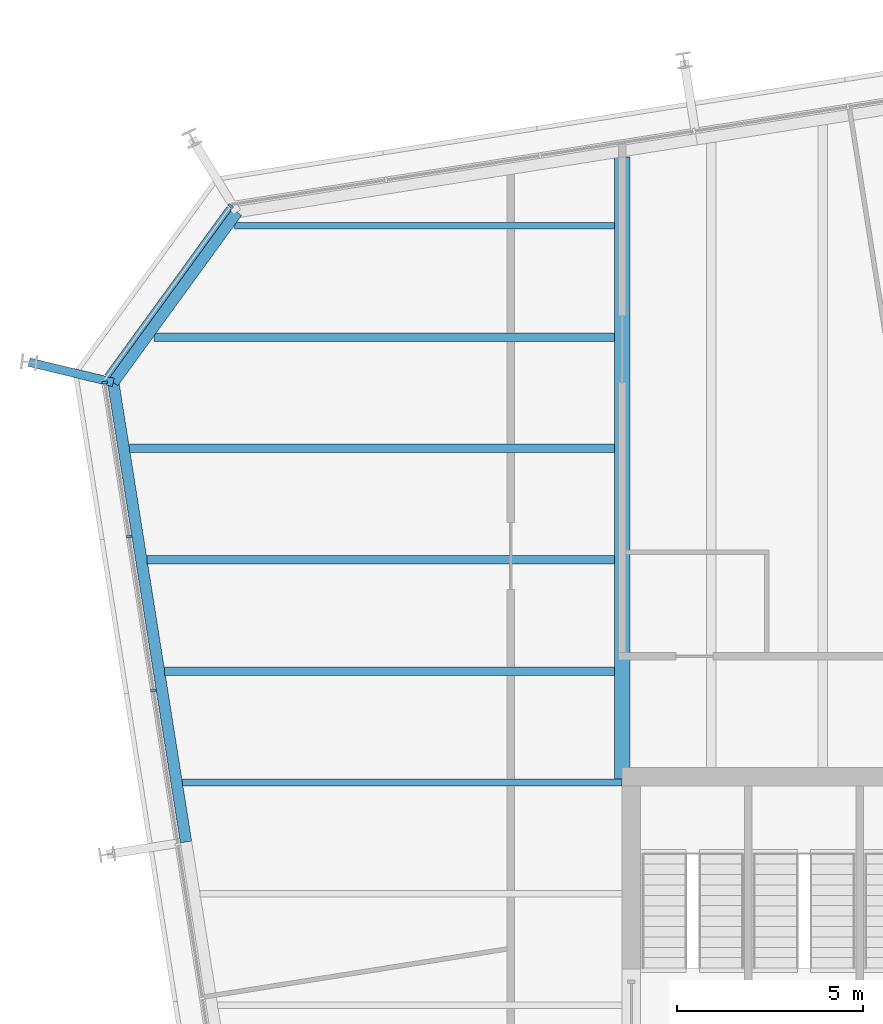
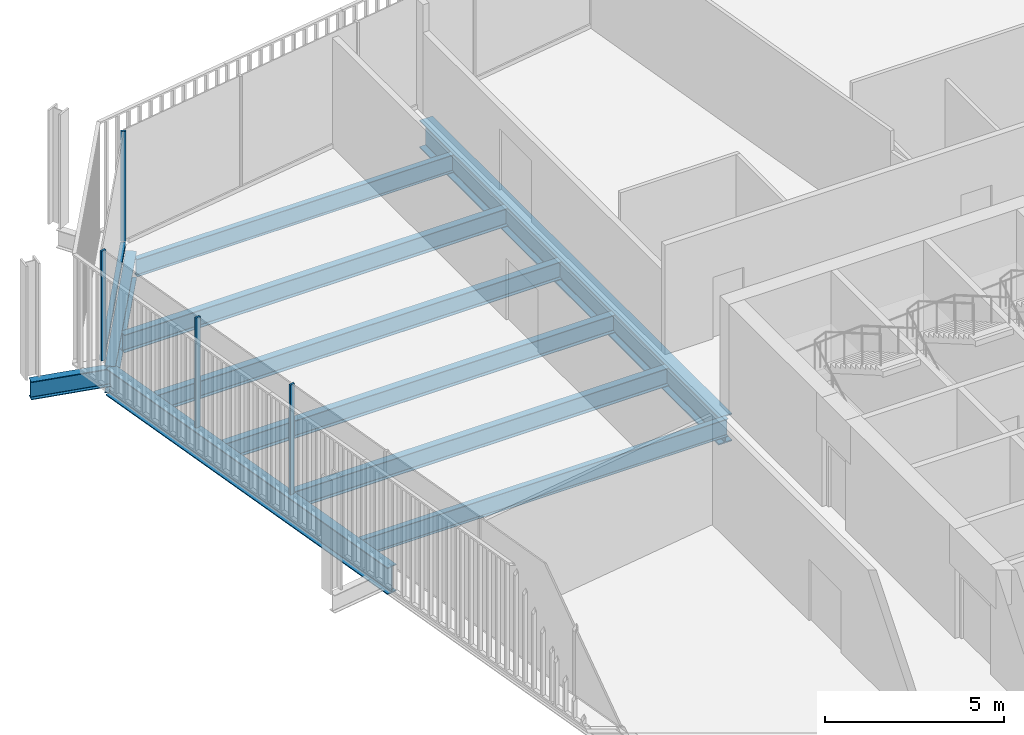
# One storey, part 10 of 20: 10 beams, 5 members, 2 elements without a shape of their own.
"""IFC4 building model written with IfcOpenShell, lengths in metres."""

import ifcopenshell
import ifcopenshell.guid

model = None  # the IFC model being written
_history = None  # IfcOwnerHistory: only IFC2X3 demands one
_inside = {}  # id of a spatial element -> (the spatial element, [elements in it])
_under = {}  # id of a project, library or spatial element -> (it, [spatial elements below it])
_declared = {}  # id of a project -> (the project, [libraries it declares])
_typed = {}  # id of a type object -> (the type object, [elements of that type])
_made_of = {}  # id of a material, layer set ... -> (it, [elements and type objects made of it])


def new_model(schema):
    """Start an empty IFC model of exactly this schema.

    Asked for "IFC4X3", IfcOpenShell would pick the latest addendum, in which some entities
    have other attributes; the version numbers below select the first issue.
    IFC2X3 requires an IfcOwnerHistory on every rooted entity: one is made here for all.
    """
    global model, _history
    if schema == "IFC4X3":
        model = ifcopenshell.file(schema_version=(4, 3, 0, 0))
    else:
        model = ifcopenshell.file(schema=schema)
    _inside.clear()
    _under.clear()
    _declared.clear()
    _typed.clear()
    _made_of.clear()
    _history = None
    if model.schema == "IFC2X3":
        org = make("IfcOrganization", Name="unknown")
        user = make(
            "IfcPersonAndOrganization",
            ThePerson=make("IfcPerson", FamilyName="unknown"),
            TheOrganization=org,
        )
        app = make(
            "IfcApplication",
            ApplicationDeveloper=org,
            Version="unknown",
            ApplicationFullName="unknown",
            ApplicationIdentifier="unknown",
        )
        _history = make(
            "IfcOwnerHistory",
            OwningUser=user,
            OwningApplication=app,
            ChangeAction="ADDED",
            CreationDate=0,
        )
    return model


def make(cls, **values):
    """One entity of the class cls with the attributes given. An attribute that is None is left unset."""
    return model.create_entity(
        cls, **{name: value for name, value in values.items() if value is not None}
    )


def rooted(cls, **values):
    """An entity with a GlobalId (a new one), such as an element, a storey or a relation."""
    return make(cls, GlobalId=ifcopenshell.guid.new(), OwnerHistory=_history, **values)


def si_unit(unit_type, name, prefix=None):
    """IfcSIUnit, for example si_unit("LENGTHUNIT", "METRE", prefix="MILLI")."""
    return make("IfcSIUnit", UnitType=unit_type, Prefix=prefix, Name=name)


def assignment(units):
    """IfcUnitAssignment: the units of a project."""
    return None if units is None else make("IfcUnitAssignment", Units=units)


def point(xyz):
    """IfcCartesianPoint."""
    return None if xyz is None else make("IfcCartesianPoint", Coordinates=xyz)


def direction(xyz):
    """IfcDirection."""
    return None if xyz is None else make("IfcDirection", DirectionRatios=xyz)


def frame(location, z_axis=None, x_axis=None):
    """IfcAxis2Placement3D, a coordinate frame: its origin and axes. An axis left out is left unset."""
    return make(
        "IfcAxis2Placement3D",
        Location=point(location),
        Axis=direction(z_axis),
        RefDirection=direction(x_axis),
    )


def frame_2d(location, x_axis=None):
    """IfcAxis2Placement2D, a coordinate frame in the plane: its origin and x axis."""
    return make(
        "IfcAxis2Placement2D", Location=point(location), RefDirection=direction(x_axis)
    )


def origin():
    """The frame at (0, 0, 0) with its axes left unset."""
    return frame((0.0, 0.0, 0.0))


def origin_2d():
    """The frame at (0, 0) in the plane with its x axis left unset."""
    return frame_2d((0.0, 0.0))


def place(relative_to, where):
    """IfcLocalPlacement: puts the frame where relative to a parent placement (None: the world)."""
    return make(
        "IfcLocalPlacement", PlacementRelTo=relative_to, RelativePlacement=where
    )


def context(
    kind, dimensions, precision=None, world=None, true_north=None, identifier=None
):
    """IfcGeometricRepresentationContext, for example the 3D "Model" context."""
    return make(
        "IfcGeometricRepresentationContext",
        ContextIdentifier=identifier,
        ContextType=kind,
        CoordinateSpaceDimension=dimensions,
        Precision=precision,
        WorldCoordinateSystem=world,
        TrueNorth=true_north,
    )


def subcontext(parent, identifier, kind, view, scale=None):
    """IfcGeometricRepresentationSubContext, for example "Body" below "Model"."""
    return make(
        "IfcGeometricRepresentationSubContext",
        ContextIdentifier=identifier,
        ContextType=kind,
        ParentContext=parent,
        TargetScale=scale,
        TargetView=view,
    )


def project(units=None, contexts=None):
    """IfcProject with its units and contexts."""
    return rooted(
        "IfcProject",
        Name="project",
        RepresentationContexts=contexts,
        UnitsInContext=assignment(units),
    )


def spatial(cls, under=None, at=None, **own):
    """A site, building, storey or space (cls), placed at a placement, below another one or the project."""
    s = rooted(cls, ObjectPlacement=at, **own)
    if under is not None:
        _under.setdefault(under.id(), (under, []))[1].append(s)
    return s


def profile(cls, at=None, kind="AREA", **sizes):
    """A parametric profile (cls). Its sizes go by their IFC names, for example OverallWidth=200.0."""
    return make(cls, ProfileType=kind, Position=at, **sizes)


def rectangle(**sizes):
    """IfcRectangleProfileDef."""
    return profile("IfcRectangleProfileDef", **sizes)


def i_section(**sizes):
    """IfcIShapeProfileDef."""
    return profile("IfcIShapeProfileDef", **sizes)


def extrude(swept, where, along, depth):
    """IfcExtrudedAreaSolid: the profile swept, set in the frame where, extruded along a direction by depth."""
    return make(
        "IfcExtrudedAreaSolid",
        SweptArea=swept,
        Position=where,
        ExtrudedDirection=direction(along),
        Depth=depth,
    )


def shape(context_of_items, identifier, shape_type, items):
    """IfcShapeRepresentation: the items that make up one representation, for example the "Body"."""
    return make(
        "IfcShapeRepresentation",
        ContextOfItems=context_of_items,
        RepresentationIdentifier=identifier,
        RepresentationType=shape_type,
        Items=items,
    )


def material(Name=None, Category=None):
    """IfcMaterial."""
    return make("IfcMaterial", Name=Name, Category=Category)


def layer(
    of_material, thickness, ventilated=None, Name=None, Category=None, Priority=None
):
    """IfcMaterialLayer: one layer of a wall or slab, of a material (None: an air gap)."""
    return make(
        "IfcMaterialLayer",
        Material=of_material,
        LayerThickness=thickness,
        IsVentilated=ventilated,
        Name=Name,
        Category=Category,
        Priority=Priority,
    )


def layer_set(layers, Name=None):
    """IfcMaterialLayerSet."""
    return make("IfcMaterialLayerSet", MaterialLayers=layers, LayerSetName=Name)


def material_profile(
    of_material, cross_section, Name=None, Category=None, Priority=None
):
    """IfcMaterialProfile: a cross section and its material."""
    return make(
        "IfcMaterialProfile",
        Name=Name,
        Material=of_material,
        Profile=cross_section,
        Priority=Priority,
        Category=Category,
    )


def profile_set(profiles, Name=None, composite=None):
    """IfcMaterialProfileSet."""
    return make(
        "IfcMaterialProfileSet",
        Name=Name,
        MaterialProfiles=profiles,
        CompositeProfile=composite,
    )


def made_of(thing, what):
    """Note that an element or type object is made of a material, layer set ...; save() writes the relation."""
    if what is not None:
        _made_of.setdefault(what.id(), (what, []))[1].append(thing)
    return thing


def type_object(cls, material=None, **own):
    """A type object (cls), such as IfcWallType, which elements share."""
    return made_of(rooted(cls, **own), material)


def element(
    cls,
    number,
    at=None,
    inside=None,
    cuts=None,
    type_object=None,
    material=None,
    context=None,
    identifier="Body",
    shape_type=None,
    held_by="IfcProductDefinitionShape",
    body=None,
    shapes=None,
    **own,
):
    """One element of the class cls, such as IfcWall. Its Tag is "e" and its number.

    at: its placement. inside: the storey or other place that contains it. cuts: it is an
    opening in that element (IfcRelVoidsElement). A single representation is given by context,
    identifier, shape_type and body (its items); several are given by shapes. held_by: the class
    of the entity that holds the representations. save() writes the other relations.
    """
    e = rooted(cls, Tag="e%d" % number, ObjectPlacement=at, **own)
    if body is not None:
        shapes = [shape(context, identifier, shape_type, body)]
    if shapes is not None:
        e.Representation = make(held_by, Representations=shapes)
    if inside is not None:
        _inside.setdefault(inside.id(), (inside, []))[1].append(e)
    if cuts is not None:
        rooted(
            "IfcRelVoidsElement", RelatingBuildingElement=cuts, RelatedOpeningElement=e
        )
    if type_object is not None:
        _typed.setdefault(type_object.id(), (type_object, []))[1].append(e)
    return made_of(e, material)


def aggregate(whole, parts):
    """IfcRelAggregates: a whole, such as a stair, and the parts it consists of."""
    return rooted("IfcRelAggregates", RelatingObject=whole, RelatedObjects=parts)


def save(model, path):
    """Write the relations noted so far, then the file.

    IfcRelAggregates (storeys below a building ...), IfcRelContainedInSpatialStructure (elements
    in a storey), IfcRelDefinesByType, IfcRelAssociatesMaterial and IfcRelDeclares: one each for
    every whole, place, type object, material and project.
    """
    for whole, parts in _under.values():
        aggregate(whole, parts)
    for where, things in _inside.values():
        rooted(
            "IfcRelContainedInSpatialStructure",
            RelatedElements=things,
            RelatingStructure=where,
        )
    for kind, things in _typed.values():
        rooted("IfcRelDefinesByType", RelatedObjects=things, RelatingType=kind)
    for what, things in _made_of.values():
        rooted("IfcRelAssociatesMaterial", RelatedObjects=things, RelatingMaterial=what)
    for by, libraries in _declared.values():
        rooted("IfcRelDeclares", RelatingContext=by, RelatedDefinitions=libraries)
    model.write(path)


model = new_model("IFC4")

# Units and contexts
model_context = context("Model", 3, precision=1e-05, world=origin(), true_north=direction((0.0, 1.0)))
body_context = subcontext(model_context, "Body", "Model", "MODEL_VIEW")
ifc_project = project(units=[si_unit("LENGTHUNIT", "METRE"), si_unit("AREAUNIT", "SQUARE_METRE"), si_unit("VOLUMEUNIT", "CUBIC_METRE"), si_unit("PLANEANGLEUNIT", "RADIAN"), si_unit("MASSUNIT", "GRAM", prefix="KILO")], contexts=[model_context])

# Site, building, storey
site_placement = place(None, origin())
site = spatial("IfcSite", under=ifc_project, at=site_placement, CompositionType="ELEMENT")
building_placement = place(site_placement, origin())
building = spatial("IfcBuilding", under=site, at=building_placement, Name="Millrace Tower", CompositionType="ELEMENT")
storey_placement = place(building_placement, frame((0.0, 0.0, 208.60009765625)))
storey = spatial("IfcBuildingStorey", under=building, at=storey_placement, Name="L47", CompositionType="ELEMENT", Elevation=208.60009765625)

# Curtain wall, member
ifc_material_1 = material(Name="Aluminium and glass", Category="aluminium")
ifc_layer = layer(ifc_material_1, 0.14990234375)
ifc_layer_set = layer_set([ifc_layer], Name="Aluminium and glass")
curtain_wall_type = type_object("IfcCurtainWallType", Name="CW-1 office vision curtain wall", PredefinedType="NOTDEFINED", material=ifc_layer_set)
placement = place(storey_placement, origin())
curtain_wall_1 = element("IfcCurtainWall", 1, at=placement, inside=storey, type_object=curtain_wall_type, Name="Curtain wall D-F07 L47", PredefinedType="NOTDEFINED")
ifc_material_2 = material(Name="Aluminium", Category="aluminium")
ifc_material_profile_1 = material_profile(ifc_material_2, rectangle(XDim=0.06494140625, YDim=0.14990234375, at=origin_2d()))
ifc_profile_set_1 = profile_set([ifc_material_profile_1], Name="Aluminium")
member_type_1 = type_object("IfcMemberType", Name="CW-1 office vision curtain wall mullion", PredefinedType="MULLION", material=ifc_profile_set_1)
member_1_placement = place(storey_placement, frame((-24.945068359375, 24.528076171875, 0.139892578125), z_axis=(0.0, 0.0, 1.0), x_axis=(-0.587785305991, -0.809016955361, 0.0)))
member_1 = element("IfcMember", 2, at=member_1_placement, type_object=member_type_1, Name="CW1 mullion D-F07.1", PredefinedType="MULLION", context=body_context, shape_type="SweptSolid", body=[
    extrude(rectangle(XDim=0.06494140625, YDim=0.14990234375, at=origin_2d()), origin(), (0.0, 0.0, 1.0), 3.760009765625),
])

# Curtain wall, members
curtain_wall_2 = element("IfcCurtainWall", 3, at=placement, inside=storey, type_object=curtain_wall_type, Name="Curtain wall D-F08 L47", PredefinedType="NOTDEFINED")
member_2_placement = place(storey_placement, frame((-28.342529296875, 19.775390625, 0.139892578125), z_axis=(0.0, 0.0, 1.0), x_axis=(0.156434471884, -0.987688339511, 0.0)))
member_2 = element("IfcMember", 4, at=member_2_placement, type_object=member_type_1, Name="CW1 mullion D-F08.1", PredefinedType="MULLION", context=body_context, shape_type="SweptSolid", body=[
    extrude(rectangle(XDim=0.06494140625, YDim=0.14990234375, at=origin_2d()), origin(), (0.0, 0.0, 1.0), 3.760009765625),
])
member_3_placement = place(storey_placement, frame((-27.685302734375, 15.627197265625, 0.139892578125), z_axis=(0.0, 0.0, 1.0), x_axis=(0.156434471884, -0.987688339511, 0.0)))
member_3 = element("IfcMember", 5, at=member_3_placement, type_object=member_type_1, Name="CW1 mullion D-F08.2", PredefinedType="MULLION", context=body_context, shape_type="SweptSolid", body=[
    extrude(rectangle(XDim=0.06494140625, YDim=0.14990234375, at=origin_2d()), origin(), (0.0, 0.0, 1.0), 3.760009765625),
])
member_4_placement = place(storey_placement, frame((-27.0283203125, 11.47900390625, 0.139892578125), z_axis=(0.0, 0.0, 1.0), x_axis=(0.156434471884, -0.987688339511, 0.0)))
member_4 = element("IfcMember", 6, at=member_4_placement, type_object=member_type_1, Name="CW1 mullion D-F08.3", PredefinedType="MULLION", context=body_context, shape_type="SweptSolid", body=[
    extrude(rectangle(XDim=0.06494140625, YDim=0.14990234375, at=origin_2d()), origin(), (0.0, 0.0, 1.0), 3.760009765625),
])
aggregate(curtain_wall_2, [member_2, member_3, member_4])

# Member
ifc_material_3 = material(Name="Aluminium", Category="aluminium")
ifc_material_profile_2 = material_profile(ifc_material_3, rectangle(XDim=0.14990234375, YDim=0.139892578125, at=origin_2d()))
ifc_profile_set_2 = profile_set([ifc_material_profile_2], Name="Aluminium")
member_type_2 = type_object("IfcMemberType", Name="CW-1 office vision curtain wall transom", PredefinedType="USERDEFINED", material=ifc_profile_set_2)
member_5_placement = place(storey_placement, frame((-24.98486328125, 24.473388671875, 0.06982421875), z_axis=(-0.587782670904, -0.809018869857, 0.0), x_axis=(0.809018869857, -0.587782670904, 0.0)))
member_5 = element("IfcMember", 7, at=member_5_placement, type_object=member_type_2, Name="CW1 transom D-F07.1", ObjectType="TRANSOM", PredefinedType="USERDEFINED", context=body_context, shape_type="SweptSolid", body=[
    extrude(rectangle(XDim=0.14990234375, YDim=0.139892578125, at=origin_2d()), origin(), (0.0, 0.0, 1.0), 5.59814453125),
])

aggregate(curtain_wall_1, [member_1, member_5])

# Beams
ifc_material_4 = material(Name="Steel ASTM A992 Grade 50", Category="steel")
ifc_material_profile_3 = material_profile(ifc_material_4, i_section(OverallWidth=0.1787109375, OverallDepth=0.60205078125, WebThickness=0.010986328125, FlangeThickness=0.014892578125, FilletRadius=0.0126953125, at=origin_2d()))
ifc_profile_set_3 = profile_set([ifc_material_profile_3], Name="Steel ASTM A992 Grade 50")
beam_type_1 = type_object("IfcBeamType", Name="Floor beam W24x62", PredefinedType="JOIST", material=ifc_profile_set_3)
beam_1_placement = place(storey_placement, frame((-26.248779296875, 9.0, -0.461181640625), z_axis=(1.0, 0.0, 0.0), x_axis=(0.0, 1.0, 0.0)))
element("IfcBeam", 8, at=beam_1_placement, inside=storey, type_object=beam_type_1, Name="BM-D-L47-S1-S023", PredefinedType="JOIST", context=body_context, shape_type="SweptSolid", body=[
    extrude(i_section(OverallWidth=0.1787109375, OverallDepth=0.60205078125, WebThickness=0.010986328125, FlangeThickness=0.014892578125, FilletRadius=0.0126953125, at=origin_2d()), origin(), (0.0, 0.0, 1.0), 11.848876953125),
])
beam_2_placement = place(storey_placement, frame((-24.843994140625, 24.0, -0.461181640625), z_axis=(1.0, 0.0, 0.0), x_axis=(0.0, 1.0, 0.0)))
element("IfcBeam", 9, at=beam_2_placement, inside=storey, type_object=beam_type_1, Name="BM-D-L47-S1-S033", PredefinedType="JOIST", context=body_context, shape_type="SweptSolid", body=[
    extrude(i_section(OverallWidth=0.1787109375, OverallDepth=0.60205078125, WebThickness=0.010986328125, FlangeThickness=0.014892578125, FilletRadius=0.0126953125, at=origin_2d()), origin(), (0.0, 0.0, 1.0), 10.234375),
])
ifc_material_5 = material(Name="Steel ASTM A992 Grade 50", Category="steel")
ifc_material_profile_4 = material_profile(ifc_material_5, i_section(OverallWidth=0.228271484375, OverallDepth=0.607177734375, WebThickness=0.01123046875, FlangeThickness=0.017333984375, FilletRadius=0.0126953125, at=origin_2d()))
ifc_profile_set_4 = profile_set([ifc_material_profile_4], Name="Steel ASTM A992 Grade 50")
beam_type_2 = type_object("IfcBeamType", Name="Floor beam W24x76", PredefinedType="JOIST", material=ifc_profile_set_4)
beam_3_placement = place(storey_placement, frame((-26.723876953125, 12.0, -0.463623046875), z_axis=(1.0, 0.0, 0.0), x_axis=(0.0, 1.0, 0.0)))
element("IfcBeam", 10, at=beam_3_placement, inside=storey, type_object=beam_type_2, Name="BM-D-L47-S1-S025", PredefinedType="JOIST", context=body_context, shape_type="SweptSolid", body=[
    extrude(i_section(OverallWidth=0.228271484375, OverallDepth=0.607177734375, WebThickness=0.01123046875, FlangeThickness=0.017333984375, FilletRadius=0.0126953125, at=origin_2d()), origin(), (0.0, 0.0, 1.0), 12.1142578125),
])
beam_4_placement = place(storey_placement, frame((-27.198974609375, 15.0, -0.463623046875), z_axis=(1.0, 0.0, 0.0), x_axis=(0.0, 1.0, 0.0)))
element("IfcBeam", 11, at=beam_4_placement, inside=storey, type_object=beam_type_2, Name="BM-D-L47-S1-S027", PredefinedType="JOIST", context=body_context, shape_type="SweptSolid", body=[
    extrude(i_section(OverallWidth=0.228271484375, OverallDepth=0.607177734375, WebThickness=0.01123046875, FlangeThickness=0.017333984375, FilletRadius=0.0126953125, at=origin_2d()), origin(), (0.0, 0.0, 1.0), 12.58935546875),
])
beam_5_placement = place(storey_placement, frame((-27.674072265625, 18.0, -0.463623046875), z_axis=(1.0, 0.0, 0.0), x_axis=(0.0, 1.0, 0.0)))
element("IfcBeam", 12, at=beam_5_placement, inside=storey, type_object=beam_type_2, Name="BM-D-L47-S1-S029", PredefinedType="JOIST", context=body_context, shape_type="SweptSolid", body=[
    extrude(i_section(OverallWidth=0.228271484375, OverallDepth=0.607177734375, WebThickness=0.01123046875, FlangeThickness=0.017333984375, FilletRadius=0.0126953125, at=origin_2d()), origin(), (0.0, 0.0, 1.0), 13.064453125),
])
beam_6_placement = place(storey_placement, frame((-27.0078125, 21.0, -0.463623046875), z_axis=(1.0, 0.0, 0.0), x_axis=(0.0, 1.0, 0.0)))
element("IfcBeam", 13, at=beam_6_placement, inside=storey, type_object=beam_type_2, Name="BM-D-L47-S1-S031", PredefinedType="JOIST", context=body_context, shape_type="SweptSolid", body=[
    extrude(i_section(OverallWidth=0.228271484375, OverallDepth=0.607177734375, WebThickness=0.01123046875, FlangeThickness=0.017333984375, FilletRadius=0.0126953125, at=origin_2d()), origin(), (0.0, 0.0, 1.0), 12.398193359375),
])
ifc_material_6 = material(Name="Steel ASTM A992 Grade 50", Category="steel")
ifc_material_profile_5 = material_profile(ifc_material_6, i_section(OverallWidth=0.424072265625, OverallDepth=0.947509765625, WebThickness=0.02392578125, FlangeThickness=0.042724609375, FilletRadius=0.024169921875, at=origin_2d()))
ifc_profile_set_5 = profile_set([ifc_material_profile_5], Name="Steel ASTM A992 Grade 50")
beam_type_3 = type_object("IfcBeamType", Name="Girder medium span W36x302", PredefinedType="BEAM", material=ifc_profile_set_5)
beam_7_placement = place(storey_placement, frame((-14.39990234375, 9.092041015625, -0.6337890625), z_axis=(0.0, 1.0, 0.0), x_axis=(-1.0, 0.0, 0.0)))
element("IfcBeam", 14, at=beam_7_placement, inside=storey, type_object=beam_type_3, Name="BM-D-L47-S1-G054", PredefinedType="BEAM", context=body_context, shape_type="SweptSolid", body=[
    extrude(i_section(OverallWidth=0.424072265625, OverallDepth=0.947509765625, WebThickness=0.02392578125, FlangeThickness=0.042724609375, FilletRadius=0.024169921875, at=origin_2d()), origin(), (0.0, 0.0, 1.0), 16.756591796875),
])
ifc_material_7 = material(Name="Steel ASTM A992 Grade 50", Category="steel")
ifc_material_profile_6 = material_profile(ifc_material_7, i_section(OverallWidth=0.23046875, OverallDepth=0.6171875, WebThickness=0.01318359375, FlangeThickness=0.022216796875, FilletRadius=0.012939453125, at=origin_2d()))
ifc_profile_set_6 = profile_set([ifc_material_profile_6], Name="Steel ASTM A992 Grade 50")
beam_type_4 = type_object("IfcBeamType", Name="Link beam W24x94", PredefinedType="BEAM", material=ifc_profile_set_6)
beam_8_placement = place(storey_placement, frame((-28.11181640625, 19.780517578125, -0.46875), z_axis=(-0.972367333652, 0.233456138164, 0.0), x_axis=(-0.233456138164, -0.972367333652, 0.0)))
element("IfcBeam", 15, at=beam_8_placement, inside=storey, type_object=beam_type_4, Name="LNK-D-L47-S1-04", PredefinedType="BEAM", context=body_context, shape_type="SweptSolid", body=[
    extrude(i_section(OverallWidth=0.23046875, OverallDepth=0.6171875, WebThickness=0.01318359375, FlangeThickness=0.022216796875, FilletRadius=0.012939453125, at=origin_2d()), origin(), (0.0, 0.0, 1.0), 2.3310546875),
])
ifc_material_8 = material(Name="Steel ASTM A992 Grade 50", Category="steel")
ifc_material_profile_7 = material_profile(ifc_material_8, i_section(OverallWidth=0.307373046875, OverallDepth=0.927001953125, WebThickness=0.01953125, FlangeThickness=0.031982421875, FilletRadius=0.01904296875, at=origin_2d()))
ifc_profile_set_7 = profile_set([ifc_material_profile_7], Name="Steel ASTM A992 Grade 50")
beam_type_5 = type_object("IfcBeamType", Name="Ring beam medium span W36x194", PredefinedType="SPANDREL", material=ifc_profile_set_7)
beam_9_placement = place(storey_placement, frame((-26.150634765625, 7.3984375, -0.62353515625), z_axis=(-0.156438575049, 0.987687689625, 0.0), x_axis=(-0.987687689625, -0.156438575049, 0.0)))
element("IfcBeam", 16, at=beam_9_placement, inside=storey, type_object=beam_type_5, Name="RNG-D-L47-S1-03", PredefinedType="SPANDREL", context=body_context, shape_type="SweptSolid", body=[
    extrude(i_section(OverallWidth=0.307373046875, OverallDepth=0.927001953125, WebThickness=0.01953125, FlangeThickness=0.031982421875, FilletRadius=0.01904296875, at=origin_2d()), origin(), (0.0, 0.0, 1.0), 12.536376953125),
])
ifc_material_9 = material(Name="Steel ASTM A992 Grade 50", Category="steel")
ifc_material_profile_8 = material_profile(ifc_material_9, i_section(OverallWidth=0.307373046875, OverallDepth=0.927001953125, WebThickness=0.01953125, FlangeThickness=0.031982421875, FilletRadius=0.01904296875, at=origin_2d()))
ifc_profile_set_8 = profile_set([ifc_material_profile_8], Name="Steel ASTM A992 Grade 50")
beam_type_6 = type_object("IfcBeamType", Name="Ring beam short span W36x194", PredefinedType="SPANDREL", material=ifc_profile_set_8)
beam_10_placement = place(storey_placement, frame((-28.11181640625, 19.780517578125, -0.62353515625), z_axis=(0.587808154511, 0.809000354444, 0.0), x_axis=(-0.809000354444, 0.587808154511, 0.0)))
element("IfcBeam", 17, at=beam_10_placement, inside=storey, type_object=beam_type_6, Name="RNG-D-L47-S1-04", PredefinedType="SPANDREL", context=body_context, shape_type="SweptSolid", body=[
    extrude(i_section(OverallWidth=0.307373046875, OverallDepth=0.927001953125, WebThickness=0.01953125, FlangeThickness=0.031982421875, FilletRadius=0.01904296875, at=origin_2d()), origin(), (0.0, 0.0, 1.0), 5.671142578125),
])

save(model, "model.ifc")
